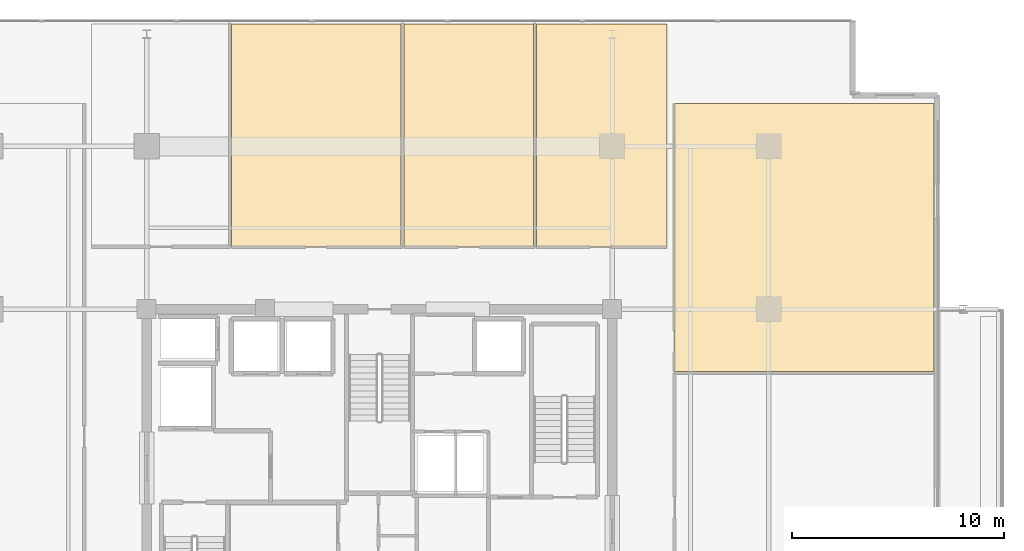
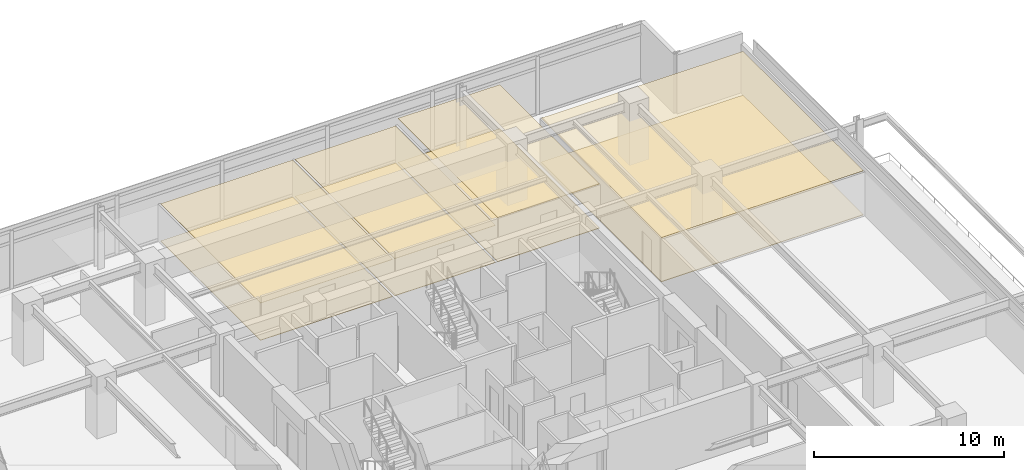
# One storey, part 24 of 24: 8 coverings.
"""IFC4 building model written with IfcOpenShell, lengths in metres."""

import ifcopenshell
import ifcopenshell.guid

model = None  # the IFC model being written
_history = None  # IfcOwnerHistory: only IFC2X3 demands one
_inside = {}  # id of a spatial element -> (the spatial element, [elements in it])
_under = {}  # id of a project, library or spatial element -> (it, [spatial elements below it])
_declared = {}  # id of a project -> (the project, [libraries it declares])
_typed = {}  # id of a type object -> (the type object, [elements of that type])
_made_of = {}  # id of a material, layer set ... -> (it, [elements and type objects made of it])


def new_model(schema):
    """Start an empty IFC model of exactly this schema.

    Asked for "IFC4X3", IfcOpenShell would pick the latest addendum, in which some entities
    have other attributes; the version numbers below select the first issue.
    IFC2X3 requires an IfcOwnerHistory on every rooted entity: one is made here for all.
    """
    global model, _history
    if schema == "IFC4X3":
        model = ifcopenshell.file(schema_version=(4, 3, 0, 0))
    else:
        model = ifcopenshell.file(schema=schema)
    _inside.clear()
    _under.clear()
    _declared.clear()
    _typed.clear()
    _made_of.clear()
    _history = None
    if model.schema == "IFC2X3":
        org = make("IfcOrganization", Name="unknown")
        user = make(
            "IfcPersonAndOrganization",
            ThePerson=make("IfcPerson", FamilyName="unknown"),
            TheOrganization=org,
        )
        app = make(
            "IfcApplication",
            ApplicationDeveloper=org,
            Version="unknown",
            ApplicationFullName="unknown",
            ApplicationIdentifier="unknown",
        )
        _history = make(
            "IfcOwnerHistory",
            OwningUser=user,
            OwningApplication=app,
            ChangeAction="ADDED",
            CreationDate=0,
        )
    return model


def make(cls, **values):
    """One entity of the class cls with the attributes given. An attribute that is None is left unset."""
    return model.create_entity(
        cls, **{name: value for name, value in values.items() if value is not None}
    )


def rooted(cls, **values):
    """An entity with a GlobalId (a new one), such as an element, a storey or a relation."""
    return make(cls, GlobalId=ifcopenshell.guid.new(), OwnerHistory=_history, **values)


def si_unit(unit_type, name, prefix=None):
    """IfcSIUnit, for example si_unit("LENGTHUNIT", "METRE", prefix="MILLI")."""
    return make("IfcSIUnit", UnitType=unit_type, Prefix=prefix, Name=name)


def assignment(units):
    """IfcUnitAssignment: the units of a project."""
    return None if units is None else make("IfcUnitAssignment", Units=units)


def point(xyz):
    """IfcCartesianPoint."""
    return None if xyz is None else make("IfcCartesianPoint", Coordinates=xyz)


def direction(xyz):
    """IfcDirection."""
    return None if xyz is None else make("IfcDirection", DirectionRatios=xyz)


def frame(location, z_axis=None, x_axis=None):
    """IfcAxis2Placement3D, a coordinate frame: its origin and axes. An axis left out is left unset."""
    return make(
        "IfcAxis2Placement3D",
        Location=point(location),
        Axis=direction(z_axis),
        RefDirection=direction(x_axis),
    )


def origin():
    """The frame at (0, 0, 0) with its axes left unset."""
    return frame((0.0, 0.0, 0.0))


def place(relative_to, where):
    """IfcLocalPlacement: puts the frame where relative to a parent placement (None: the world)."""
    return make(
        "IfcLocalPlacement", PlacementRelTo=relative_to, RelativePlacement=where
    )


def context(
    kind, dimensions, precision=None, world=None, true_north=None, identifier=None
):
    """IfcGeometricRepresentationContext, for example the 3D "Model" context."""
    return make(
        "IfcGeometricRepresentationContext",
        ContextIdentifier=identifier,
        ContextType=kind,
        CoordinateSpaceDimension=dimensions,
        Precision=precision,
        WorldCoordinateSystem=world,
        TrueNorth=true_north,
    )


def subcontext(parent, identifier, kind, view, scale=None):
    """IfcGeometricRepresentationSubContext, for example "Body" below "Model"."""
    return make(
        "IfcGeometricRepresentationSubContext",
        ContextIdentifier=identifier,
        ContextType=kind,
        ParentContext=parent,
        TargetScale=scale,
        TargetView=view,
    )


def project(units=None, contexts=None):
    """IfcProject with its units and contexts."""
    return rooted(
        "IfcProject",
        Name="project",
        RepresentationContexts=contexts,
        UnitsInContext=assignment(units),
    )


def spatial(cls, under=None, at=None, **own):
    """A site, building, storey or space (cls), placed at a placement, below another one or the project."""
    s = rooted(cls, ObjectPlacement=at, **own)
    if under is not None:
        _under.setdefault(under.id(), (under, []))[1].append(s)
    return s


def polyline(points):
    """IfcPolyline through the points."""
    return make("IfcPolyline", Points=[point(p) for p in points])


def outline(outer, holes=None, kind="AREA"):
    """IfcArbitraryClosedProfileDef: a profile drawn as a closed curve; with holes, ...WithVoids."""
    if holes is None:
        return make("IfcArbitraryClosedProfileDef", ProfileType=kind, OuterCurve=outer)
    return make(
        "IfcArbitraryProfileDefWithVoids",
        ProfileType=kind,
        OuterCurve=outer,
        InnerCurves=holes,
    )


def extrude(swept, where, along, depth):
    """IfcExtrudedAreaSolid: the profile swept, set in the frame where, extruded along a direction by depth."""
    return make(
        "IfcExtrudedAreaSolid",
        SweptArea=swept,
        Position=where,
        ExtrudedDirection=direction(along),
        Depth=depth,
    )


def shape(context_of_items, identifier, shape_type, items):
    """IfcShapeRepresentation: the items that make up one representation, for example the "Body"."""
    return make(
        "IfcShapeRepresentation",
        ContextOfItems=context_of_items,
        RepresentationIdentifier=identifier,
        RepresentationType=shape_type,
        Items=items,
    )


def material(Name=None, Category=None):
    """IfcMaterial."""
    return make("IfcMaterial", Name=Name, Category=Category)


def layer(
    of_material, thickness, ventilated=None, Name=None, Category=None, Priority=None
):
    """IfcMaterialLayer: one layer of a wall or slab, of a material (None: an air gap)."""
    return make(
        "IfcMaterialLayer",
        Material=of_material,
        LayerThickness=thickness,
        IsVentilated=ventilated,
        Name=Name,
        Category=Category,
        Priority=Priority,
    )


def layer_set(layers, Name=None):
    """IfcMaterialLayerSet."""
    return make("IfcMaterialLayerSet", MaterialLayers=layers, LayerSetName=Name)


def made_of(thing, what):
    """Note that an element or type object is made of a material, layer set ...; save() writes the relation."""
    if what is not None:
        _made_of.setdefault(what.id(), (what, []))[1].append(thing)
    return thing


def type_object(cls, material=None, **own):
    """A type object (cls), such as IfcWallType, which elements share."""
    return made_of(rooted(cls, **own), material)


def element(
    cls,
    number,
    at=None,
    inside=None,
    cuts=None,
    type_object=None,
    material=None,
    context=None,
    identifier="Body",
    shape_type=None,
    held_by="IfcProductDefinitionShape",
    body=None,
    shapes=None,
    **own,
):
    """One element of the class cls, such as IfcWall. Its Tag is "e" and its number.

    at: its placement. inside: the storey or other place that contains it. cuts: it is an
    opening in that element (IfcRelVoidsElement). A single representation is given by context,
    identifier, shape_type and body (its items); several are given by shapes. held_by: the class
    of the entity that holds the representations. save() writes the other relations.
    """
    e = rooted(cls, Tag="e%d" % number, ObjectPlacement=at, **own)
    if body is not None:
        shapes = [shape(context, identifier, shape_type, body)]
    if shapes is not None:
        e.Representation = make(held_by, Representations=shapes)
    if inside is not None:
        _inside.setdefault(inside.id(), (inside, []))[1].append(e)
    if cuts is not None:
        rooted(
            "IfcRelVoidsElement", RelatingBuildingElement=cuts, RelatedOpeningElement=e
        )
    if type_object is not None:
        _typed.setdefault(type_object.id(), (type_object, []))[1].append(e)
    return made_of(e, material)


def aggregate(whole, parts):
    """IfcRelAggregates: a whole, such as a stair, and the parts it consists of."""
    return rooted("IfcRelAggregates", RelatingObject=whole, RelatedObjects=parts)


def save(model, path):
    """Write the relations noted so far, then the file.

    IfcRelAggregates (storeys below a building ...), IfcRelContainedInSpatialStructure (elements
    in a storey), IfcRelDefinesByType, IfcRelAssociatesMaterial and IfcRelDeclares: one each for
    every whole, place, type object, material and project.
    """
    for whole, parts in _under.values():
        aggregate(whole, parts)
    for where, things in _inside.values():
        rooted(
            "IfcRelContainedInSpatialStructure",
            RelatedElements=things,
            RelatingStructure=where,
        )
    for kind, things in _typed.values():
        rooted("IfcRelDefinesByType", RelatedObjects=things, RelatingType=kind)
    for what, things in _made_of.values():
        rooted("IfcRelAssociatesMaterial", RelatedObjects=things, RelatingMaterial=what)
    for by, libraries in _declared.values():
        rooted("IfcRelDeclares", RelatingContext=by, RelatedDefinitions=libraries)
    model.write(path)


model = new_model("IFC4")

# Units and contexts
model_context = context("Model", 3, precision=1e-05, world=origin(), true_north=direction((0.0, 1.0)))
body_context = subcontext(model_context, "Body", "Model", "MODEL_VIEW")
ifc_project = project(units=[si_unit("LENGTHUNIT", "METRE"), si_unit("AREAUNIT", "SQUARE_METRE"), si_unit("VOLUMEUNIT", "CUBIC_METRE"), si_unit("PLANEANGLEUNIT", "RADIAN"), si_unit("MASSUNIT", "GRAM", prefix="KILO")], contexts=[model_context])

# Site, building, storey
site_placement = place(None, origin())
site = spatial("IfcSite", under=ifc_project, at=site_placement, CompositionType="ELEMENT")
building_placement = place(site_placement, origin())
building = spatial("IfcBuilding", under=site, at=building_placement, Name="Kovane Verandah Tower", CompositionType="ELEMENT")
storey_placement = place(building_placement, frame((0.0, 0.0, 259.199951171875)))
storey = spatial("IfcBuildingStorey", under=building, at=storey_placement, Name="L60", CompositionType="ELEMENT", Elevation=259.199951171875)

# Coverings
ifc_material_1 = material(Name="Perforated Acoustic Mineral-Fibre Ceiling Tile", Category="gypsum")
ifc_layer_1 = layer(ifc_material_1, 0.02490234375)
ifc_layer_set_1 = layer_set([ifc_layer_1], Name="Perforated Acoustic Mineral-Fibre Ceiling Tile")
covering_type_1 = type_object("IfcCoveringType", Name="CV-CEIL-25", PredefinedType="CEILING", material=ifc_layer_set_1)
covering_1_placement = place(storey_placement, frame((0.0, 0.0, 2.39013671875)))
element("IfcCovering", 1, at=covering_1_placement, inside=storey, type_object=covering_type_1, Name="L60 Collaboration Hub N2 Acoustic Ceiling", PredefinedType="CEILING", context=body_context, shape_type="SweptSolid", body=[
    extrude(outline(polyline([(32.998046875, 39.449951171875), (41.01806640625, 39.449951171875), (41.01806640625, 49.96826171875), (32.998046875, 49.96826171875), (32.998046875, 39.449951171875)])), origin(), (0.0, 0.0, 1.0), 0.02490234375),
])
covering_2_placement = place(storey_placement, frame((0.0, 0.0, 2.39013671875)))
element("IfcCovering", 2, at=covering_2_placement, inside=storey, type_object=covering_type_1, Name="L60 Document and Print Room N3 Acoustic Ceiling", PredefinedType="CEILING", context=body_context, shape_type="SweptSolid", body=[
    extrude(outline(polyline([(41.157958984375, 39.449951171875), (47.27392578125, 39.449951171875), (47.27392578125, 49.96826171875), (41.157958984375, 49.96826171875), (41.157958984375, 39.449951171875)])), origin(), (0.0, 0.0, 1.0), 0.02490234375),
])
covering_3_placement = place(storey_placement, frame((0.0, 0.0, 2.824951171875)))
element("IfcCovering", 3, at=covering_3_placement, inside=storey, type_object=covering_type_1, Name="L60 Open Plan Office N4 Acoustic Ceiling", PredefinedType="CEILING", context=body_context, shape_type="SweptSolid", body=[
    extrude(outline(polyline([(47.4140625, 39.449951171875), (53.60009765625, 39.449951171875), (53.60009765625, 49.96826171875), (47.4140625, 49.96826171875), (47.4140625, 39.449951171875)])), origin(), (0.0, 0.0, 1.0), 0.025146484375),
])
covering_4_placement = place(storey_placement, frame((0.0, 0.0, 2.824951171875)))
element("IfcCovering", 4, at=covering_4_placement, inside=storey, type_object=covering_type_1, Name="L60 Collaboration Hub E3 Acoustic Ceiling", PredefinedType="CEILING", context=body_context, shape_type="SweptSolid", body=[
    extrude(outline(polyline([(53.949951171875, 33.559814453125), (66.216552734375, 33.559814453125), (66.216552734375, 46.21826171875), (53.949951171875, 46.21826171875), (53.949951171875, 33.559814453125)])), origin(), (0.0, 0.0, 1.0), 0.025146484375),
])
ifc_material_2 = material(Name="Polished Terrazzo and Raised-Access Carpet Tile Finish", Category="concrete")
ifc_layer_2 = layer(ifc_material_2, 0.030029296875)
ifc_layer_set_2 = layer_set([ifc_layer_2], Name="Polished Terrazzo and Raised-Access Carpet Tile Finish")
covering_type_2 = type_object("IfcCoveringType", Name="CV-FLOR-30", PredefinedType="FLOORING", material=ifc_layer_set_2)
covering_5_placement = place(storey_placement, origin())
element("IfcCovering", 5, at=covering_5_placement, inside=storey, type_object=covering_type_2, Name="L60 Collaboration Hub N2 Floor Finish", PredefinedType="FLOORING", context=body_context, shape_type="SweptSolid", body=[
    extrude(outline(polyline([(32.998046875, 39.449951171875), (41.01806640625, 39.449951171875), (41.01806640625, 49.96826171875), (32.998046875, 49.96826171875), (32.998046875, 39.449951171875)])), origin(), (0.0, 0.0, 1.0), 0.030029296875),
])
covering_6_placement = place(storey_placement, origin())
element("IfcCovering", 6, at=covering_6_placement, inside=storey, type_object=covering_type_2, Name="L60 Document and Print Room N3 Floor Finish", PredefinedType="FLOORING", context=body_context, shape_type="SweptSolid", body=[
    extrude(outline(polyline([(41.157958984375, 39.449951171875), (47.27392578125, 39.449951171875), (47.27392578125, 49.96826171875), (41.157958984375, 49.96826171875), (41.157958984375, 39.449951171875)])), origin(), (0.0, 0.0, 1.0), 0.030029296875),
])
covering_7_placement = place(storey_placement, origin())
element("IfcCovering", 7, at=covering_7_placement, inside=storey, type_object=covering_type_2, Name="L60 Open Plan Office N4 Floor Finish", PredefinedType="FLOORING", context=body_context, shape_type="SweptSolid", body=[
    extrude(outline(polyline([(47.4140625, 39.449951171875), (53.60009765625, 39.449951171875), (53.60009765625, 49.96826171875), (47.4140625, 49.96826171875), (47.4140625, 39.449951171875)])), origin(), (0.0, 0.0, 1.0), 0.030029296875),
])
covering_8_placement = place(storey_placement, origin())
element("IfcCovering", 8, at=covering_8_placement, inside=storey, type_object=covering_type_2, Name="L60 Collaboration Hub E3 Floor Finish", PredefinedType="FLOORING", context=body_context, shape_type="SweptSolid", body=[
    extrude(outline(polyline([(53.949951171875, 33.559814453125), (66.216552734375, 33.559814453125), (66.216552734375, 46.21826171875), (53.949951171875, 46.21826171875), (53.949951171875, 33.559814453125)])), origin(), (0.0, 0.0, 1.0), 0.030029296875),
])

save(model, "model.ifc")
